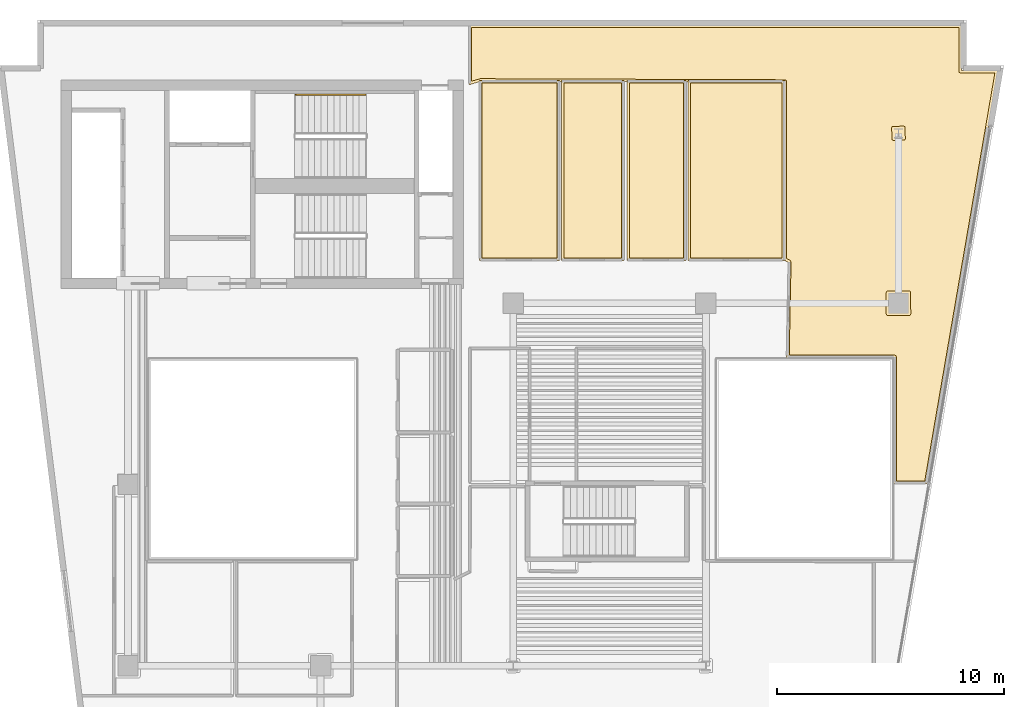
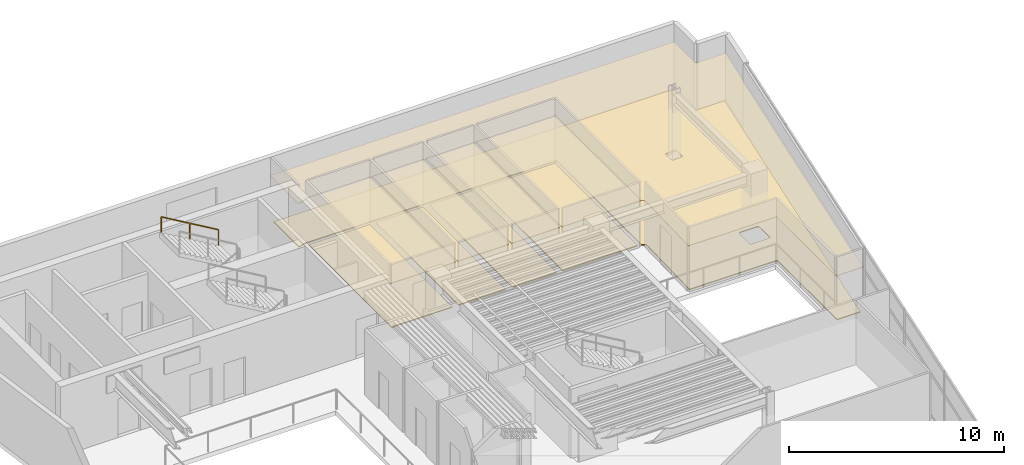
# One storey, part 9 of 9: 10 coverings, 1 railing.
"""IFC4 building model written with IfcOpenShell, lengths in metres."""

from ifc_helpers import new_model, si_unit, direction, frame, origin, origin_2d, place, context, subcontext, project, spatial, polyline, rectangle, outline, extrude, material, layer, layer_set, type_object, element, save


model = new_model("IFC4")

# Units and contexts
model_context = context("Model", 3, precision=1e-05, world=origin(), true_north=direction((0.0, 1.0)))
body_context = subcontext(model_context, "Body", "Model", "MODEL_VIEW")
ifc_project = project(units=[si_unit("LENGTHUNIT", "METRE"), si_unit("AREAUNIT", "SQUARE_METRE"), si_unit("VOLUMEUNIT", "CUBIC_METRE"), si_unit("PLANEANGLEUNIT", "RADIAN"), si_unit("MASSUNIT", "GRAM", prefix="KILO")], contexts=[model_context])

# Site, building, storey
site_placement = place(None, origin())
site = spatial("IfcSite", under=ifc_project, at=site_placement, CompositionType="ELEMENT")
building_placement = place(site_placement, origin())
building = spatial("IfcBuilding", under=site, at=building_placement, Name="Caeloran Harvest Quay", CompositionType="ELEMENT")
storey_placement = place(building_placement, frame((0.0, 0.0, 199.550048828125)))
storey = spatial("IfcBuildingStorey", under=building, at=storey_placement, Name="L47", CompositionType="ELEMENT", Elevation=199.550048828125)

# Coverings
ifc_material_1 = material(Name="Perforated Mineral-Fibre Acoustic Ceiling Tile", Category="ceiling")
ifc_layer_1 = layer(ifc_material_1, 0.0400390625, Name="Perforated Mineral-Fibre Acoustic Ceiling Tile")
ifc_layer_set_1 = layer_set([ifc_layer_1], Name="Perforated Mineral-Fibre Acoustic Ceiling Tile")
covering_type_1 = type_object("IfcCoveringType", Name="COV-CEILING-ACOUSTIC", PredefinedType="CEILING", material=ifc_layer_set_1)
covering_1_placement = place(storey_placement, frame((0.0, 0.0, 2.599853515625)))
element("IfcCovering", 1, at=covering_1_placement, inside=storey, type_object=covering_type_1, Name="L47 Bioinformatics Briefing Lounge Acoustic Ceiling", PredefinedType="CEILING", context=body_context, shape_type="SweptSolid", body=[
    extrude(outline(polyline([(27.5400390625, 40.840087890625), (27.5400390625, 32.8798828125), (24.010009765625, 32.8798828125), (24.010009765625, 40.840087890625), (27.5400390625, 40.840087890625)])), origin(), (0.0, 0.0, 1.0), 0.0400390625),
])
covering_2_placement = place(storey_placement, frame((0.0, 0.0, 2.599853515625)))
element("IfcCovering", 2, at=covering_2_placement, inside=storey, type_object=covering_type_1, Name="L47 Seed Imaging Laboratory Acoustic Ceiling", PredefinedType="CEILING", context=body_context, shape_type="SweptSolid", body=[
    extrude(outline(polyline([(30.389892578125, 40.840087890625), (30.389892578125, 32.8798828125), (27.6201171875, 32.8798828125), (27.6201171875, 40.840087890625), (30.389892578125, 40.840087890625)])), origin(), (0.0, 0.0, 1.0), 0.0400390625),
])
covering_3_placement = place(storey_placement, frame((0.0, 0.0, 2.599853515625)))
element("IfcCovering", 3, at=covering_3_placement, inside=storey, type_object=covering_type_1, Name="L47 Genomics Seminar West Room Acoustic Ceiling", PredefinedType="CEILING", context=body_context, shape_type="SweptSolid", body=[
    extrude(outline(polyline([(33.1298828125, 40.840087890625), (33.1298828125, 32.8798828125), (30.510009765625, 32.8798828125), (30.510009765625, 40.840087890625), (33.1298828125, 40.840087890625)])), origin(), (0.0, 0.0, 1.0), 0.0400390625),
])
covering_4_placement = place(storey_placement, frame((0.0, 0.0, 2.599853515625)))
element("IfcCovering", 4, at=covering_4_placement, inside=storey, type_object=covering_type_1, Name="L47 Executive Archive East Studio Acoustic Ceiling", PredefinedType="CEILING", context=body_context, shape_type="SweptSolid", body=[
    extrude(outline(polyline([(37.489990234375, 40.840087890625), (37.489990234375, 32.8798828125), (33.2099609375, 32.8798828125), (33.2099609375, 40.840087890625), (37.489990234375, 40.840087890625)])), origin(), (0.0, 0.0, 1.0), 0.0400390625),
])
covering_5_placement = place(storey_placement, frame((0.0, 0.0, 2.599853515625)))
element("IfcCovering", 5, at=covering_5_placement, inside=storey, type_object=covering_type_1, Name="IT Comms Laboratory Acoustic Ceiling", PredefinedType="CEILING", context=body_context, shape_type="SweptSolid", body=[
    extrude(outline(polyline([(45.280029296875, 43.280029296875), (45.280029296875, 41.280029296875), (46.895263671875, 41.280029296875), (43.760009765625, 23.0400390625), (42.2900390625, 23.0400390625), (42.2900390625, 28.590087890625), (37.556884765625, 28.590087890625), (37.639404296875, 32.797119140625), (37.43994140625, 32.91015625), (37.43994140625, 40.760009765625), (24.0556640625, 40.7900390625), (23.5400390625, 40.63916015625), (23.5400390625, 43.280029296875), (45.280029296875, 43.280029296875)])), origin(), (0.0, 0.0, 1.0), 0.0400390625),
])
ifc_material_2 = material(Name="Calcium-Sulphate Raised Access Floor and Terrazzo Finish", Category="flooring")
ifc_layer_2 = layer(ifc_material_2, 0.050048828125, Name="Calcium-Sulphate Raised Access Floor and Terrazzo Finish")
ifc_layer_set_2 = layer_set([ifc_layer_2], Name="Calcium-Sulphate Raised Access Floor and Terrazzo Finish")
covering_type_2 = type_object("IfcCoveringType", Name="COV-FLOOR-RAISED", PredefinedType="FLOORING", material=ifc_layer_set_2)
covering_6_placement = place(storey_placement, origin())
element("IfcCovering", 6, at=covering_6_placement, inside=storey, type_object=covering_type_2, Name="L47 Bioinformatics Briefing Lounge Raised Finish Flooring", PredefinedType="FLOORING", context=body_context, shape_type="SweptSolid", body=[
    extrude(outline(polyline([(27.419921875, 40.719970703125), (27.419921875, 33.0), (24.1298828125, 33.0), (24.1298828125, 40.719970703125), (27.419921875, 40.719970703125)])), origin(), (0.0, 0.0, 1.0), 0.050048828125),
])
covering_7_placement = place(storey_placement, origin())
element("IfcCovering", 7, at=covering_7_placement, inside=storey, type_object=covering_type_2, Name="L47 Seed Imaging Laboratory Raised Finish Flooring", PredefinedType="FLOORING", context=body_context, shape_type="SweptSolid", body=[
    extrude(outline(polyline([(30.27001953125, 40.719970703125), (30.27001953125, 33.0), (27.739990234375, 33.0), (27.739990234375, 40.719970703125), (30.27001953125, 40.719970703125)])), origin(), (0.0, 0.0, 1.0), 0.050048828125),
])
covering_8_placement = place(storey_placement, origin())
element("IfcCovering", 8, at=covering_8_placement, inside=storey, type_object=covering_type_2, Name="L47 Genomics Seminar West Room Raised Finish Flooring", PredefinedType="FLOORING", context=body_context, shape_type="SweptSolid", body=[
    extrude(outline(polyline([(33.010009765625, 40.719970703125), (33.010009765625, 33.0), (30.6298828125, 33.0), (30.6298828125, 40.719970703125), (33.010009765625, 40.719970703125)])), origin(), (0.0, 0.0, 1.0), 0.050048828125),
])
covering_9_placement = place(storey_placement, origin())
element("IfcCovering", 9, at=covering_9_placement, inside=storey, type_object=covering_type_2, Name="L47 Executive Archive East Studio Raised Finish Flooring", PredefinedType="FLOORING", context=body_context, shape_type="SweptSolid", body=[
    extrude(outline(polyline([(37.3701171875, 40.719970703125), (37.3701171875, 33.0), (33.330078125, 33.0), (33.330078125, 40.719970703125), (37.3701171875, 40.719970703125)])), origin(), (0.0, 0.0, 1.0), 0.050048828125),
])
covering_10_placement = place(storey_placement, origin())
element("IfcCovering", 10, at=covering_10_placement, inside=storey, type_object=covering_type_2, Name="IT Comms Laboratory Raised Finish Flooring", PredefinedType="FLOORING", context=body_context, shape_type="SweptSolid", body=[
    extrude(outline(polyline([(23.659912109375, 40.79931640625), (23.659912109375, 43.159912109375), (45.159912109375, 43.159912109375), (45.17822265625, 41.189208984375), (45.239990234375, 41.159912109375), (46.752685546875, 41.159912109375), (43.658935546875, 23.159912109375), (42.409912109375, 23.159912109375), (42.409912109375, 28.6298828125), (42.38671875, 28.6865234375), (42.330078125, 28.7099609375), (37.679443359375, 28.7099609375), (37.760009765625, 32.818359375), (37.732177734375, 32.880615234375), (37.56005859375, 32.97998046875), (37.56005859375, 40.800048828125), (37.53076171875, 40.86181640625), (24.05029296875, 40.909912109375), (23.659912109375, 40.79931640625)]), holes=[polyline([(43.044921875, 30.534912109375), (43.02685546875, 31.515869140625), (42.972900390625, 31.544677734375), (42.034912109375, 31.544921875), (41.978515625, 31.521484375), (41.955078125, 31.465087890625), (41.955078125, 30.534912109375), (41.978515625, 30.478515625), (42.034912109375, 30.455078125), (42.965087890625, 30.455078125), (43.021484375, 30.478515625), (43.044921875, 30.534912109375)]), polyline([(42.802490234375, 38.254150390625), (42.784912109375, 38.788818359375), (42.730712890625, 38.817626953125), (42.226318359375, 38.7998046875), (42.197021484375, 38.738037109375), (42.215087890625, 38.211181640625), (42.277099609375, 38.181884765625), (42.773681640625, 38.2001953125), (42.802490234375, 38.254150390625)])]), origin(), (0.0, 0.0, 1.0), 0.050048828125),
])

# Railing
ifc_material_3 = material(Name="Brushed Stainless Steel Grade 304", Category="steel")
ifc_layer_3 = layer(ifc_material_3, 0.050048828125, Name="Brushed Stainless Steel Grade 304")
ifc_layer_set_3 = layer_set([ifc_layer_3], Name="Brushed Stainless Steel Grade 304")
railing_type = type_object("IfcRailingType", Name="STAIR-HANDRAIL-900", PredefinedType="HANDRAIL", material=ifc_layer_set_3)
railing_placement = place(storey_placement, frame((18.97998046875, 40.199951171875, 2.1396484375)))
element("IfcRailing", 11, at=railing_placement, inside=storey, type_object=railing_type, Name="L47 ST-C1 stair handrail 2", PredefinedType="HANDRAIL", context=body_context, shape_type="SweptSolid", body=[
    extrude(rectangle(XDim=0.048095703125, YDim=0.048095703125, at=origin_2d()), frame((0.0, 0.0, 0.8759765625), z_axis=(-0.862118610829, 0.0, 0.506706523406), x_axis=(0.0, -1.0, 0.0)), (0.0, 0.0, 1.0), 3.57275390625),
    extrude(rectangle(XDim=0.0419921875, YDim=0.0419921875, at=origin_2d()), origin(), (0.0, 0.0, 1.0), 0.851806640625),
    extrude(rectangle(XDim=0.0419921875, YDim=0.0419921875, at=origin_2d()), frame((-1.5400390625, 0.0, 0.9052734375)), (0.0, 0.0, 1.0), 0.851806640625),
    extrude(rectangle(XDim=0.0419921875, YDim=0.0419921875, at=origin_2d()), frame((-3.080078125, 0.0, 1.810302734375)), (0.0, 0.0, 1.0), 0.851806640625),
])

save(model, "model.ifc")
